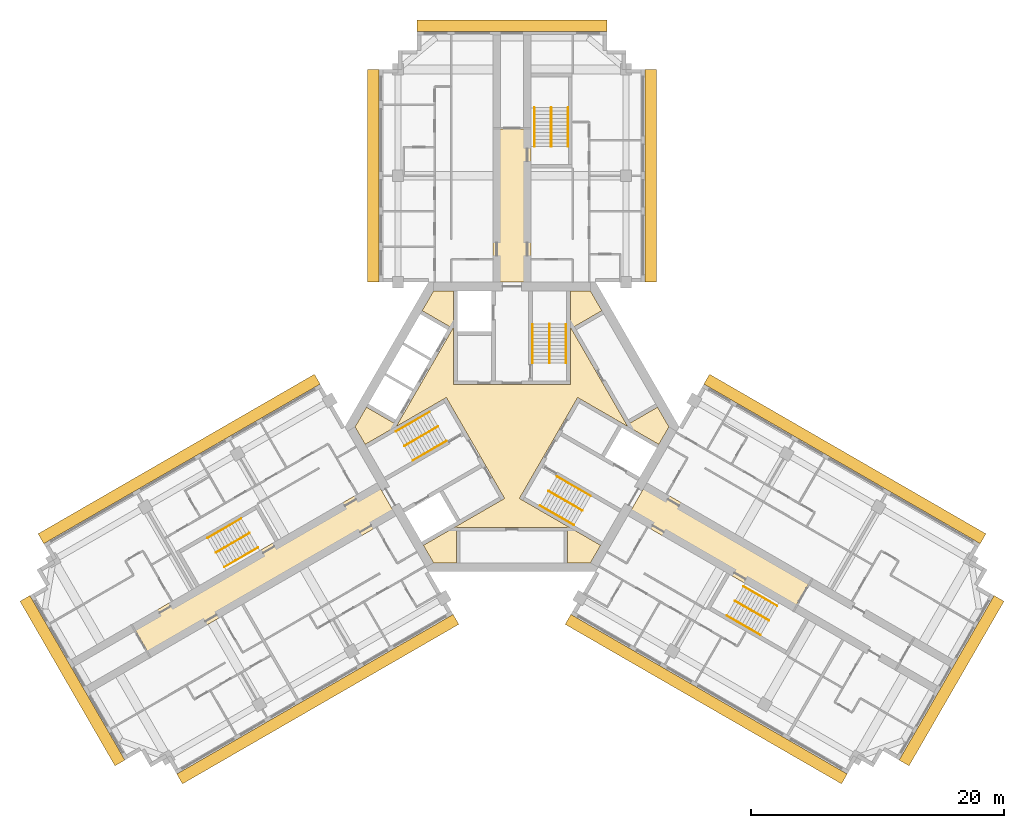
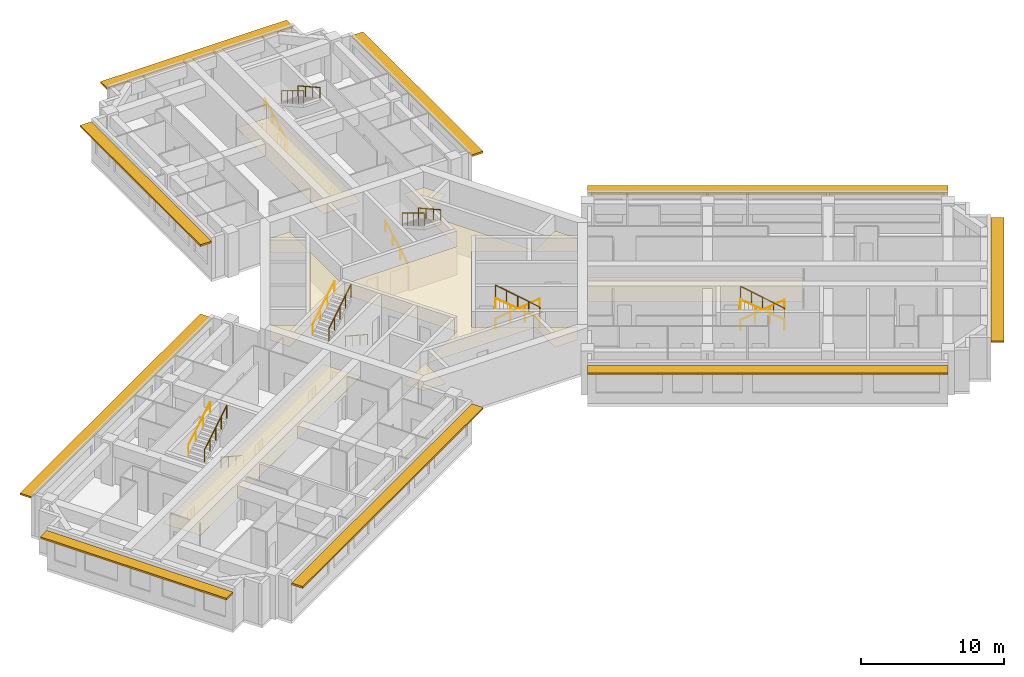
# One storey, part 11 of 11: 18 railings, 4 coverings, 3 shading devices.
"""IFC4 building model written with IfcOpenShell, lengths in metres."""

from ifc_helpers import new_model, si_unit, direction, frame, origin, origin_2d, place, context, subcontext, project, spatial, polyline, rectangle, circle, outline, extrude, material, layer, layer_set, type_object, element, save


model = new_model("IFC4")

# Units and contexts
model_context = context("Model", 3, precision=1e-05, world=origin(), true_north=direction((0.0, 1.0)))
body_context = subcontext(model_context, "Body", "Model", "MODEL_VIEW")
ifc_project = project(units=[si_unit("LENGTHUNIT", "METRE"), si_unit("AREAUNIT", "SQUARE_METRE"), si_unit("VOLUMEUNIT", "CUBIC_METRE"), si_unit("PLANEANGLEUNIT", "RADIAN"), si_unit("MASSUNIT", "GRAM", prefix="KILO")], contexts=[model_context])

# Site, building, storey
site_placement = place(None, origin())
site = spatial("IfcSite", under=ifc_project, at=site_placement, CompositionType="ELEMENT")
building_placement = place(site_placement, origin())
building = spatial("IfcBuilding", under=site, at=building_placement, Name="Impinga Residences", CompositionType="ELEMENT")
storey_placement = place(building_placement, frame((0.0, 0.0, 203.5)))
storey = spatial("IfcBuildingStorey", under=building, at=storey_placement, Name="L50", CompositionType="ELEMENT", Elevation=203.5)

# Coverings
ifc_material_1 = material(Name="Plasterboard 15 mm on steel hangers", Category="steel")
ifc_layer_1 = layer(ifc_material_1, 0.014892578125)
ifc_layer_set_1 = layer_set([ifc_layer_1], Name="Plasterboard 15 mm on steel hangers")
covering_type_1 = type_object("IfcCoveringType", Name="CL1 corridor ceiling, 15 mm plasterboard on hangers", PredefinedType="CEILING", material=ifc_layer_set_1)
covering_1_placement = place(storey_placement, frame((0.0, 0.0, 2.39990234375)))
element("IfcCovering", 1, at=covering_1_placement, inside=storey, type_object=covering_type_1, Name="Corridor ceiling CL1 L50-N00", PredefinedType="CEILING", context=body_context, shape_type="SweptSolid", body=[
    extrude(outline(polyline([(-1.5, 11.431640625), (1.5, 11.431640625), (1.5, 23.531494140625), (-1.5, 23.531494140625), (-1.5, 11.431640625)])), origin(), (0.0, 0.0, 1.0), 0.01513671875),
])
covering_2_placement = place(storey_placement, frame((0.0, 0.0, 2.39990234375)))
element("IfcCovering", 2, at=covering_2_placement, inside=storey, type_object=covering_type_1, Name="Corridor ceiling CL1 L50-W00", PredefinedType="CEILING", context=body_context, shape_type="SweptSolid", body=[
    extrude(outline(polyline([(-9.14990234375, -7.014892578125), (-10.64990234375, -4.416748046875), (-30.005615234375, -15.591796875), (-28.505615234375, -18.189697265625), (-9.14990234375, -7.014892578125)])), origin(), (0.0, 0.0, 1.0), 0.01513671875),
])
covering_3_placement = place(storey_placement, frame((0.0, 0.0, 2.39990234375)))
element("IfcCovering", 3, at=covering_3_placement, inside=storey, type_object=covering_type_1, Name="Corridor ceiling CL1 L50-E00", PredefinedType="CEILING", context=body_context, shape_type="SweptSolid", body=[
    extrude(outline(polyline([(9.14990234375, -7.014892578125), (10.64990234375, -4.416748046875), (23.681396484375, -11.9404296875), (22.181396484375, -14.53857421875), (9.14990234375, -7.014892578125)])), origin(), (0.0, 0.0, 1.0), 0.01513671875),
])
ifc_material_2 = material(Name="Mineral fibre tiles 20 mm on exposed grid", Category="mineral fibre")
ifc_layer_2 = layer(ifc_material_2, 0.02001953125)
ifc_layer_set_2 = layer_set([ifc_layer_2], Name="CL2 lift lobby ceiling, 20 mm mineral fibre tiles")
covering_type_2 = type_object("IfcCoveringType", Name="CL2 lift lobby ceiling, 20 mm mineral fibre tiles", PredefinedType="CEILING", material=ifc_layer_set_2)
covering_4_placement = place(storey_placement, frame((0.0, 0.0, 2.39990234375)))
element("IfcCovering", 4, at=covering_4_placement, inside=storey, type_object=covering_type_2, Name="Lift lobby ceiling CL2 L50-C01", PredefinedType="CEILING", context=body_context, shape_type="SweptSolid", body=[
    extrude(outline(polyline([(12.3916015625, 0.0), (11.59375, -1.382080078125), (5.183837890625, 2.318603515625), (0.583984375, -5.648681640625), (6.993896484375, -9.349365234375), (6.19580078125, -10.7314453125), (4.39990234375, -10.7314453125), (4.39990234375, -7.931640625), (-4.39990234375, -7.931640625), (-4.39990234375, -10.7314453125), (-6.19580078125, -10.7314453125), (-6.993896484375, -9.349365234375), (-0.583984375, -5.648681640625), (-5.183837890625, 2.318603515625), (-11.59375, -1.382080078125), (-12.3916015625, 0.0), (-11.493896484375, 1.55517578125), (-9.06884765625, 0.1552734375), (-4.6689453125, 7.7763671875), (-7.09375, 9.17626953125), (-6.19580078125, 10.7314453125), (-4.60009765625, 10.7314453125), (-4.60009765625, 3.330078125), (4.60009765625, 3.330078125), (4.60009765625, 10.7314453125), (6.19580078125, 10.7314453125), (7.09375, 9.17626953125), (4.6689453125, 7.7763671875), (9.06884765625, 0.1552734375), (11.493896484375, 1.55517578125), (12.3916015625, 0.0)])), origin(), (0.0, 0.0, 1.0), 0.02001953125),
])

# Railings
ifc_material_3 = material(Name="Steel guard, powder coated", Category="steel")
railing_type_1 = type_object("IfcRailingType", Name="GR1 stair guard 1100", PredefinedType="GUARDRAIL", material=ifc_material_3)
railing_1_placement = place(storey_placement, frame((2.949951171875, 8.110107421875, 1.875)))
element("IfcRailing", 5, at=railing_1_placement, inside=storey, type_object=railing_type_1, Name="Stair guard GR1 ST1 L50", PredefinedType="GUARDRAIL", context=body_context, shape_type="SweptSolid", body=[
    extrude(circle(Radius=0.02392578125, at=origin_2d()), frame((0.0, 0.0, 1.076171875), z_axis=(0.0, -0.854177636135, 0.519981313056), x_axis=(1.0, 0.0, 0.0)), (0.0, 0.0, 1.0), 3.60595703125),
    extrude(circle(Radius=0.02099609375, at=origin_2d()), origin(), (0.0, 0.0, 1.0), 1.052001953125),
    extrude(circle(Radius=0.02099609375, at=origin_2d()), frame((0.0, -0.77001953125, 0.46875)), (0.0, 0.0, 1.0), 1.052001953125),
    extrude(circle(Radius=0.02099609375, at=origin_2d()), frame((0.0, -1.5400390625, 0.9375)), (0.0, 0.0, 1.0), 1.052001953125),
    extrude(circle(Radius=0.02099609375, at=origin_2d()), frame((0.0, -2.31005859375, 1.40625)), (0.0, 0.0, 1.0), 1.052001953125),
    extrude(circle(Radius=0.02099609375, at=origin_2d()), frame((0.0, -3.080078125, 1.875)), (0.0, 0.0, 1.0), 1.052001953125),
])
railing_2_placement = place(storey_placement, frame((-8.49853515625, -1.500244140625, 1.875)))
element("IfcRailing", 6, at=railing_2_placement, inside=storey, type_object=railing_type_1, Name="Stair guard GR1 ST2 L50", PredefinedType="GUARDRAIL", context=body_context, shape_type="SweptSolid", body=[
    extrude(circle(Radius=0.02392578125, at=origin_2d()), frame((0.0, 0.0, 1.076171875), z_axis=(0.739746383972, 0.427084037168, 0.519975492303), x_axis=(-0.499992328818, 0.866029832698, 0.0)), (0.0, 0.0, 1.0), 3.60595703125),
    extrude(circle(Radius=0.02099609375, at=origin_2d()), origin(), (0.0, 0.0, 1.0), 1.052001953125),
    extrude(circle(Radius=0.02099609375, at=origin_2d()), frame((0.6669921875, 0.385009765625, 0.46875)), (0.0, 0.0, 1.0), 1.052001953125),
    extrude(circle(Radius=0.02099609375, at=origin_2d()), frame((1.333740234375, 0.77001953125, 0.9375)), (0.0, 0.0, 1.0), 1.052001953125),
    extrude(circle(Radius=0.02099609375, at=origin_2d()), frame((2.00048828125, 1.155029296875, 1.40625)), (0.0, 0.0, 1.0), 1.052001953125),
    extrude(circle(Radius=0.02099609375, at=origin_2d()), frame((2.66748046875, 1.5400390625, 1.875)), (0.0, 0.0, 1.0), 1.052001953125),
])
railing_3_placement = place(storey_placement, frame((5.548583984375, -6.60986328125, 1.875)))
element("IfcRailing", 7, at=railing_3_placement, inside=storey, type_object=railing_type_1, Name="Stair guard GR1 ST3 L50", PredefinedType="GUARDRAIL", context=body_context, shape_type="SweptSolid", body=[
    extrude(circle(Radius=0.02392578125, at=origin_2d()), frame((0.0, 0.0, 1.076171875), z_axis=(-0.739746383972, 0.427084037168, 0.519975492303), x_axis=(-0.499992328818, -0.866029832698, 0.0)), (0.0, 0.0, 1.0), 3.60595703125),
    extrude(circle(Radius=0.02099609375, at=origin_2d()), origin(), (0.0, 0.0, 1.0), 1.052001953125),
    extrude(circle(Radius=0.02099609375, at=origin_2d()), frame((-0.6669921875, 0.385009765625, 0.46875)), (0.0, 0.0, 1.0), 1.052001953125),
    extrude(circle(Radius=0.02099609375, at=origin_2d()), frame((-1.333740234375, 0.77001953125, 0.9375)), (0.0, 0.0, 1.0), 1.052001953125),
    extrude(circle(Radius=0.02099609375, at=origin_2d()), frame((-2.00048828125, 1.155029296875, 1.40625)), (0.0, 0.0, 1.0), 1.052001953125),
    extrude(circle(Radius=0.02099609375, at=origin_2d()), frame((-2.66748046875, 1.5400390625, 1.875)), (0.0, 0.0, 1.0), 1.052001953125),
])
railing_4_placement = place(storey_placement, frame((3.10009765625, 25.21142578125, 1.875)))
element("IfcRailing", 8, at=railing_4_placement, inside=storey, type_object=railing_type_1, Name="Stair guard GR1 WS1 L50", PredefinedType="GUARDRAIL", context=body_context, shape_type="SweptSolid", body=[
    extrude(circle(Radius=0.02392578125, at=origin_2d()), frame((0.0, 0.0, 1.076171875), z_axis=(0.0, -0.854159328187, 0.520011386482), x_axis=(1.0, 0.0, 0.0)), (0.0, 0.0, 1.0), 3.605712890625),
    extrude(circle(Radius=0.02099609375, at=origin_2d()), origin(), (0.0, 0.0, 1.0), 1.052001953125),
    extrude(circle(Radius=0.02099609375, at=origin_2d()), frame((0.0, -0.77001953125, 0.46875)), (0.0, 0.0, 1.0), 1.052001953125),
    extrude(circle(Radius=0.02099609375, at=origin_2d()), frame((0.0, -1.5400390625, 0.9375)), (0.0, 0.0, 1.0), 1.052001953125),
    extrude(circle(Radius=0.02099609375, at=origin_2d()), frame((0.0, -2.309814453125, 1.40625)), (0.0, 0.0, 1.0), 1.052001953125),
    extrude(circle(Radius=0.02099609375, at=origin_2d()), frame((0.0, -3.079833984375, 1.875)), (0.0, 0.0, 1.0), 1.052001953125),
])
railing_5_placement = place(storey_placement, frame((-23.3837890625, -9.921142578125, 1.875)))
element("IfcRailing", 9, at=railing_5_placement, inside=storey, type_object=railing_type_1, Name="Stair guard GR1 WS2 L50", PredefinedType="GUARDRAIL", context=body_context, shape_type="SweptSolid", body=[
    extrude(circle(Radius=0.02392578125, at=origin_2d()), frame((0.0, 0.0, 1.076171875), z_axis=(0.739715726454, 0.427105428144, 0.52000153585), x_axis=(-0.500026652407, 0.866010015463, 0.0)), (0.0, 0.0, 1.0), 3.605712890625),
    extrude(circle(Radius=0.02099609375, at=origin_2d()), origin(), (0.0, 0.0, 1.0), 1.052001953125),
    extrude(circle(Radius=0.02099609375, at=origin_2d()), frame((0.666748046875, 0.385009765625, 0.46875)), (0.0, 0.0, 1.0), 1.052001953125),
    extrude(circle(Radius=0.02099609375, at=origin_2d()), frame((1.33349609375, 0.77001953125, 0.9375)), (0.0, 0.0, 1.0), 1.052001953125),
    extrude(circle(Radius=0.02099609375, at=origin_2d()), frame((2.00048828125, 1.155029296875, 1.40625)), (0.0, 0.0, 1.0), 1.052001953125),
    extrude(circle(Radius=0.02099609375, at=origin_2d()), frame((2.667236328125, 1.5400390625, 1.875)), (0.0, 0.0, 1.0), 1.052001953125),
])
railing_6_placement = place(storey_placement, frame((20.283935546875, -15.29052734375, 1.875)))
element("IfcRailing", 10, at=railing_6_placement, inside=storey, type_object=railing_type_1, Name="Stair guard GR1 WS3 L50", PredefinedType="GUARDRAIL", context=body_context, shape_type="SweptSolid", body=[
    extrude(circle(Radius=0.02392578125, at=origin_2d()), frame((0.0, 0.0, 1.076171875), z_axis=(-0.739746383972, 0.427084037168, 0.519975492303), x_axis=(-0.499992328818, -0.866029832698, 0.0)), (0.0, 0.0, 1.0), 3.60595703125),
    extrude(circle(Radius=0.02099609375, at=origin_2d()), origin(), (0.0, 0.0, 1.0), 1.052001953125),
    extrude(circle(Radius=0.02099609375, at=origin_2d()), frame((-0.6669921875, 0.385009765625, 0.46875)), (0.0, 0.0, 1.0), 1.052001953125),
    extrude(circle(Radius=0.02099609375, at=origin_2d()), frame((-1.333740234375, 0.77001953125, 0.9375)), (0.0, 0.0, 1.0), 1.052001953125),
    extrude(circle(Radius=0.02099609375, at=origin_2d()), frame((-2.00048828125, 1.155029296875, 1.40625)), (0.0, 0.0, 1.0), 1.052001953125),
    extrude(circle(Radius=0.02099609375, at=origin_2d()), frame((-2.66748046875, 1.5400390625, 1.875)), (0.0, 0.0, 1.0), 1.052001953125),
])
ifc_material_4 = material(Name="Steel handrail tube 42 mm, powder coated", Category="steel")
railing_type_2 = type_object("IfcRailingType", Name="HR1 stair handrail, 42 mm steel tube, 900 above the pitch line", PredefinedType="HANDRAIL", material=ifc_material_4)
railing_7_placement = place(storey_placement, frame((1.62109375, 5.030029296875, 0.15625)))
element("IfcRailing", 11, at=railing_7_placement, inside=storey, type_object=railing_type_2, Name="Stair handrail HR1 ST1 L50", PredefinedType="HANDRAIL", context=body_context, shape_type="SweptSolid", body=[
    extrude(circle(Radius=0.02099609375, at=origin_2d()), frame((0.0, 0.0, 0.87890625), z_axis=(0.0, 0.873241540666, 0.487287606713), x_axis=(-1.0, 0.0, 0.0)), (0.0, 0.0, 1.0), 3.527099609375),
    extrude(circle(Radius=0.012451171875, at=origin_2d()), origin(), (0.0, 0.0, 1.0), 0.85791015625),
    extrude(circle(Radius=0.012451171875, at=origin_2d()), frame((0.0, 1.026611328125, 0.572998046875)), (0.0, 0.0, 1.0), 0.85791015625),
    extrude(circle(Radius=0.012451171875, at=origin_2d()), frame((0.0, 2.053466796875, 1.145751953125)), (0.0, 0.0, 1.0), 0.85791015625),
    extrude(circle(Radius=0.012451171875, at=origin_2d()), frame((0.0, 3.080078125, 1.71875)), (0.0, 0.0, 1.0), 0.85791015625),
])
railing_8_placement = place(storey_placement, frame((4.279052734375, 8.110107421875, 2.03125)))
element("IfcRailing", 12, at=railing_8_placement, inside=storey, type_object=railing_type_2, Name="Stair handrail HR1 ST1 L50", PredefinedType="HANDRAIL", context=body_context, shape_type="SweptSolid", body=[
    extrude(circle(Radius=0.02099609375, at=origin_2d()), frame((0.0, 0.0, 0.87890625), z_axis=(0.0, -0.873241540666, 0.487287606713), x_axis=(1.0, 0.0, 0.0)), (0.0, 0.0, 1.0), 3.527099609375),
    extrude(circle(Radius=0.012451171875, at=origin_2d()), origin(), (0.0, 0.0, 1.0), 0.85791015625),
    extrude(circle(Radius=0.012451171875, at=origin_2d()), frame((0.0, -1.026611328125, 0.572998046875)), (0.0, 0.0, 1.0), 0.85791015625),
    extrude(circle(Radius=0.012451171875, at=origin_2d()), frame((0.0, -2.053466796875, 1.145751953125)), (0.0, 0.0, 1.0), 0.85791015625),
    extrude(circle(Radius=0.012451171875, at=origin_2d()), frame((0.0, -3.080078125, 1.71875)), (0.0, 0.0, 1.0), 0.85791015625),
])
railing_9_placement = place(storey_placement, frame((-5.16650390625, -1.111083984375, 0.15625)))
element("IfcRailing", 13, at=railing_9_placement, inside=storey, type_object=railing_type_2, Name="Stair handrail HR1 ST2 L50", PredefinedType="HANDRAIL", context=body_context, shape_type="SweptSolid", body=[
    extrude(circle(Radius=0.02099609375, at=origin_2d()), frame((0.0, 0.0, 0.87890625), z_axis=(-0.756255980417, -0.436615662133, 0.487281905742), x_axis=(0.499992328818, -0.866029832698, 0.0)), (0.0, 0.0, 1.0), 3.527099609375),
    extrude(circle(Radius=0.012451171875, at=origin_2d()), origin(), (0.0, 0.0, 1.0), 0.85791015625),
    extrude(circle(Radius=0.012451171875, at=origin_2d()), frame((-0.88916015625, -0.513427734375, 0.572998046875)), (0.0, 0.0, 1.0), 0.85791015625),
    extrude(circle(Radius=0.012451171875, at=origin_2d()), frame((-1.7783203125, -1.026611328125, 1.145751953125)), (0.0, 0.0, 1.0), 0.85791015625),
    extrude(circle(Radius=0.012451171875, at=origin_2d()), frame((-2.66748046875, -1.5400390625, 1.71875)), (0.0, 0.0, 1.0), 0.85791015625),
])
railing_10_placement = place(storey_placement, frame((-9.1630859375, -0.349365234375, 2.03125)))
element("IfcRailing", 14, at=railing_10_placement, inside=storey, type_object=railing_type_2, Name="Stair handrail HR1 ST2 L50", PredefinedType="HANDRAIL", context=body_context, shape_type="SweptSolid", body=[
    extrude(circle(Radius=0.02099609375, at=origin_2d()), frame((0.0, 0.0, 0.87890625), z_axis=(0.756255980417, 0.436615662133, 0.487281905742), x_axis=(-0.499992328818, 0.866029832698, 0.0)), (0.0, 0.0, 1.0), 3.527099609375),
    extrude(circle(Radius=0.012451171875, at=origin_2d()), origin(), (0.0, 0.0, 1.0), 0.85791015625),
    extrude(circle(Radius=0.012451171875, at=origin_2d()), frame((0.88916015625, 0.513427734375, 0.572998046875)), (0.0, 0.0, 1.0), 0.85791015625),
    extrude(circle(Radius=0.012451171875, at=origin_2d()), frame((1.7783203125, 1.026611328125, 1.145751953125)), (0.0, 0.0, 1.0), 0.85791015625),
    extrude(circle(Radius=0.012451171875, at=origin_2d()), frame((2.66748046875, 1.5400390625, 1.71875)), (0.0, 0.0, 1.0), 0.85791015625),
])
railing_11_placement = place(storey_placement, frame((3.545654296875, -3.9189453125, 0.15625)))
element("IfcRailing", 15, at=railing_11_placement, inside=storey, type_object=railing_type_2, Name="Stair handrail HR1 ST3 L50", PredefinedType="HANDRAIL", context=body_context, shape_type="SweptSolid", body=[
    extrude(circle(Radius=0.02099609375, at=origin_2d()), frame((0.0, 0.0, 0.87890625), z_axis=(0.756249203677, -0.436582492228, 0.487322141317), x_axis=(0.499967199496, 0.866044340336, 0.0)), (0.0, 0.0, 1.0), 3.52685546875),
    extrude(circle(Radius=0.012451171875, at=origin_2d()), origin(), (0.0, 0.0, 1.0), 0.85791015625),
    extrude(circle(Radius=0.012451171875, at=origin_2d()), frame((0.88916015625, -0.51318359375, 0.572998046875)), (0.0, 0.0, 1.0), 0.85791015625),
    extrude(circle(Radius=0.012451171875, at=origin_2d()), frame((1.778076171875, -1.026611328125, 1.145751953125)), (0.0, 0.0, 1.0), 0.85791015625),
    extrude(circle(Radius=0.012451171875, at=origin_2d()), frame((2.667236328125, -1.539794921875, 1.71875)), (0.0, 0.0, 1.0), 0.85791015625),
])
railing_12_placement = place(storey_placement, frame((4.884033203125, -7.7607421875, 2.03125)))
element("IfcRailing", 16, at=railing_12_placement, inside=storey, type_object=railing_type_2, Name="Stair handrail HR1 ST3 L50", PredefinedType="HANDRAIL", context=body_context, shape_type="SweptSolid", body=[
    extrude(circle(Radius=0.02099609375, at=origin_2d()), frame((0.0, 0.0, 0.87890625), z_axis=(-0.756255980417, 0.436615662133, 0.487281905742), x_axis=(-0.499992328818, -0.866029832698, 0.0)), (0.0, 0.0, 1.0), 3.527099609375),
    extrude(circle(Radius=0.012451171875, at=origin_2d()), origin(), (0.0, 0.0, 1.0), 0.85791015625),
    extrude(circle(Radius=0.012451171875, at=origin_2d()), frame((-0.88916015625, 0.513427734375, 0.572998046875)), (0.0, 0.0, 1.0), 0.85791015625),
    extrude(circle(Radius=0.012451171875, at=origin_2d()), frame((-1.7783203125, 1.026611328125, 1.145751953125)), (0.0, 0.0, 1.0), 0.85791015625),
    extrude(circle(Radius=0.012451171875, at=origin_2d()), frame((-2.66748046875, 1.5400390625, 1.71875)), (0.0, 0.0, 1.0), 0.85791015625),
])
railing_13_placement = place(storey_placement, frame((1.77099609375, 22.131591796875, 0.15625)))
element("IfcRailing", 17, at=railing_13_placement, inside=storey, type_object=railing_type_2, Name="Stair handrail HR1 WS1 L50", PredefinedType="HANDRAIL", context=body_context, shape_type="SweptSolid", body=[
    extrude(circle(Radius=0.02099609375, at=origin_2d()), frame((0.0, 0.0, 0.87890625), z_axis=(0.0, 0.873225103656, 0.487317061414), x_axis=(-1.0, 0.0, 0.0)), (0.0, 0.0, 1.0), 3.52685546875),
    extrude(circle(Radius=0.012451171875, at=origin_2d()), origin(), (0.0, 0.0, 1.0), 0.85791015625),
    extrude(circle(Radius=0.012451171875, at=origin_2d()), frame((0.0, 1.026611328125, 0.572998046875)), (0.0, 0.0, 1.0), 0.85791015625),
    extrude(circle(Radius=0.012451171875, at=origin_2d()), frame((0.0, 2.05322265625, 1.145751953125)), (0.0, 0.0, 1.0), 0.85791015625),
    extrude(circle(Radius=0.012451171875, at=origin_2d()), frame((0.0, 3.079833984375, 1.71875)), (0.0, 0.0, 1.0), 0.85791015625),
])
railing_14_placement = place(storey_placement, frame((4.428955078125, 25.21142578125, 2.03125)))
element("IfcRailing", 18, at=railing_14_placement, inside=storey, type_object=railing_type_2, Name="Stair handrail HR1 WS1 L50", PredefinedType="HANDRAIL", context=body_context, shape_type="SweptSolid", body=[
    extrude(circle(Radius=0.02099609375, at=origin_2d()), frame((0.0, 0.0, 0.87890625), z_axis=(0.0, -0.873225103656, 0.487317061414), x_axis=(1.0, 0.0, 0.0)), (0.0, 0.0, 1.0), 3.52685546875),
    extrude(circle(Radius=0.012451171875, at=origin_2d()), origin(), (0.0, 0.0, 1.0), 0.85791015625),
    extrude(circle(Radius=0.012451171875, at=origin_2d()), frame((0.0, -1.026611328125, 0.572998046875)), (0.0, 0.0, 1.0), 0.85791015625),
    extrude(circle(Radius=0.012451171875, at=origin_2d()), frame((0.0, -2.05322265625, 1.145751953125)), (0.0, 0.0, 1.0), 0.85791015625),
    extrude(circle(Radius=0.012451171875, at=origin_2d()), frame((0.0, -3.079833984375, 1.71875)), (0.0, 0.0, 1.0), 0.85791015625),
])
railing_15_placement = place(storey_placement, frame((-20.052001953125, -9.531982421875, 0.15625)))
element("IfcRailing", 19, at=railing_15_placement, inside=storey, type_object=railing_type_2, Name="Stair handrail HR1 WS2 L50", PredefinedType="HANDRAIL", context=body_context, shape_type="SweptSolid", body=[
    extrude(circle(Radius=0.02099609375, at=origin_2d()), frame((0.0, 0.0, 0.87890625), z_axis=(-0.756226348243, -0.436638517594, 0.487307413422), x_axis=(0.500026652407, -0.866010015463, 0.0)), (0.0, 0.0, 1.0), 3.527099609375),
    extrude(circle(Radius=0.012451171875, at=origin_2d()), origin(), (0.0, 0.0, 1.0), 0.85791015625),
    extrude(circle(Radius=0.012451171875, at=origin_2d()), frame((-0.88916015625, -0.513427734375, 0.572998046875)), (0.0, 0.0, 1.0), 0.85791015625),
    extrude(circle(Radius=0.012451171875, at=origin_2d()), frame((-1.778076171875, -1.026611328125, 1.145751953125)), (0.0, 0.0, 1.0), 0.85791015625),
    extrude(circle(Radius=0.012451171875, at=origin_2d()), frame((-2.667236328125, -1.5400390625, 1.71875)), (0.0, 0.0, 1.0), 0.85791015625),
])
railing_16_placement = place(storey_placement, frame((-24.04833984375, -8.77001953125, 2.03125)))
element("IfcRailing", 20, at=railing_16_placement, inside=storey, type_object=railing_type_2, Name="Stair handrail HR1 WS2 L50", PredefinedType="HANDRAIL", context=body_context, shape_type="SweptSolid", body=[
    extrude(circle(Radius=0.02099609375, at=origin_2d()), frame((0.0, 0.0, 0.87890625), z_axis=(0.756278834354, 0.436559638319, 0.487296631324), x_axis=(-0.499932877268, 0.866064153644, 0.0)), (0.0, 0.0, 1.0), 3.527099609375),
    extrude(circle(Radius=0.012451171875, at=origin_2d()), origin(), (0.0, 0.0, 1.0), 0.85791015625),
    extrude(circle(Radius=0.012451171875, at=origin_2d()), frame((0.88916015625, 0.51318359375, 0.572998046875)), (0.0, 0.0, 1.0), 0.85791015625),
    extrude(circle(Radius=0.012451171875, at=origin_2d()), frame((1.7783203125, 1.026611328125, 1.145751953125)), (0.0, 0.0, 1.0), 0.85791015625),
    extrude(circle(Radius=0.012451171875, at=origin_2d()), frame((2.66748046875, 1.539794921875, 1.71875)), (0.0, 0.0, 1.0), 0.85791015625),
])
railing_17_placement = place(storey_placement, frame((18.281005859375, -12.599609375, 0.15625)))
element("IfcRailing", 21, at=railing_17_placement, inside=storey, type_object=railing_type_2, Name="Stair handrail HR1 WS3 L50", PredefinedType="HANDRAIL", context=body_context, shape_type="SweptSolid", body=[
    extrude(circle(Radius=0.02099609375, at=origin_2d()), frame((0.0, 0.0, 0.87890625), z_axis=(0.756249203677, -0.436582492228, 0.487322141317), x_axis=(0.499967199496, 0.866044340336, 0.0)), (0.0, 0.0, 1.0), 3.52685546875),
    extrude(circle(Radius=0.012451171875, at=origin_2d()), origin(), (0.0, 0.0, 1.0), 0.85791015625),
    extrude(circle(Radius=0.012451171875, at=origin_2d()), frame((0.88916015625, -0.51318359375, 0.572998046875)), (0.0, 0.0, 1.0), 0.85791015625),
    extrude(circle(Radius=0.012451171875, at=origin_2d()), frame((1.778076171875, -1.026611328125, 1.145751953125)), (0.0, 0.0, 1.0), 0.85791015625),
    extrude(circle(Radius=0.012451171875, at=origin_2d()), frame((2.667236328125, -1.539794921875, 1.71875)), (0.0, 0.0, 1.0), 0.85791015625),
])
railing_18_placement = place(storey_placement, frame((19.619384765625, -16.44140625, 2.03125)))
element("IfcRailing", 22, at=railing_18_placement, inside=storey, type_object=railing_type_2, Name="Stair handrail HR1 WS3 L50", PredefinedType="HANDRAIL", context=body_context, shape_type="SweptSolid", body=[
    extrude(circle(Radius=0.02099609375, at=origin_2d()), frame((0.0, 0.0, 0.87890625), z_axis=(-0.756255980417, 0.436615662133, 0.487281905742), x_axis=(-0.499992328818, -0.866029832698, 0.0)), (0.0, 0.0, 1.0), 3.527099609375),
    extrude(circle(Radius=0.012451171875, at=origin_2d()), origin(), (0.0, 0.0, 1.0), 0.85791015625),
    extrude(circle(Radius=0.012451171875, at=origin_2d()), frame((-0.88916015625, 0.513427734375, 0.572998046875)), (0.0, 0.0, 1.0), 0.85791015625),
    extrude(circle(Radius=0.012451171875, at=origin_2d()), frame((-1.7783203125, 1.026611328125, 1.145751953125)), (0.0, 0.0, 1.0), 0.85791015625),
    extrude(circle(Radius=0.012451171875, at=origin_2d()), frame((-2.66748046875, 1.5400390625, 1.71875)), (0.0, 0.0, 1.0), 0.85791015625),
])

# Shading devices
ifc_material_5 = material(Name="Terracotta sunshade blades on aluminium brackets", Category="masonry")
ifc_layer_3 = layer(ifc_material_5, 0.14990234375)
ifc_layer_set_3 = layer_set([ifc_layer_3], Name="SS1 SUNSHADE terracotta sunshade band 900")
shading_device_type = type_object("IfcShadingDeviceType", Name="SS1 SUNSHADE terracotta sunshade band 900", PredefinedType="USERDEFINED", material=ifc_layer_set_3)
shading_device_1_placement = place(storey_placement, frame((-10.949951171875, 19.83154296875, 3.10009765625), z_axis=(0.0, 0.0, 1.0), x_axis=(0.0, 1.0, 0.0)))
element("IfcShadingDevice", 23, at=shading_device_1_placement, inside=storey, type_object=shading_device_type, Name="SUNSHADE band L50 NORTH WING", ObjectType="SUNSHADE", PredefinedType="USERDEFINED", context=body_context, shape_type="SweptSolid", body=[
    extrude(rectangle(XDim=16.800048828125, YDim=0.89990234375, at=origin_2d()), origin(), (0.0, 0.0, 1.0), 0.14990234375),
    extrude(rectangle(XDim=15.0, YDim=0.89990234375, at=origin_2d()), frame((11.85009765625, -10.949951171875, 0.0), z_axis=(0.0, 0.0, 1.0), x_axis=(0.0, -1.0, 0.0)), (0.0, 0.0, 1.0), 0.14990234375),
    extrude(rectangle(XDim=16.800048828125, YDim=0.89990234375, at=origin_2d()), frame((0.0, -21.89990234375, 0.0), z_axis=(0.0, 0.0, 1.0), x_axis=(-1.0, 0.0, 0.0)), (0.0, 0.0, 1.0), 0.14990234375),
])
shading_device_2_placement = place(storey_placement, frame((-34.711669921875, -20.040771484375, 3.10009765625), z_axis=(0.0, 0.0, 1.0), x_axis=(-0.5, 0.866025403784, 0.0)))
element("IfcShadingDevice", 24, at=shading_device_2_placement, inside=storey, type_object=shading_device_type, Name="SUNSHADE band L50 WEST WING", ObjectType="SUNSHADE", PredefinedType="USERDEFINED", context=body_context, shape_type="SweptSolid", body=[
    extrude(rectangle(XDim=15.0, YDim=0.89990234375, at=origin_2d()), origin(), (0.0, 0.0, 1.0), 0.14990234375),
    extrude(rectangle(XDim=25.199951171875, YDim=0.89990234375, at=origin_2d()), frame((10.949951171875, -16.050048828125, 0.0), z_axis=(0.0, 0.0, 1.0), x_axis=(0.0, -1.0, 0.0)), (0.0, 0.0, 1.0), 0.14990234375),
    extrude(rectangle(XDim=25.199951171875, YDim=0.89990234375, at=origin_2d()), frame((-10.949951171875, -16.050048828125, 0.0), z_axis=(0.0, 0.0, 1.0), x_axis=(0.0, 1.0, 0.0)), (0.0, 0.0, 1.0), 0.14990234375),
])
shading_device_3_placement = place(storey_placement, frame((26.286865234375, -2.53271484375, 3.10009765625), z_axis=(0.0, 0.0, 1.0), x_axis=(0.866025403784, -0.5, 0.0)))
element("IfcShadingDevice", 25, at=shading_device_3_placement, inside=storey, type_object=shading_device_type, Name="SUNSHADE band L50 EAST WING", ObjectType="SUNSHADE", PredefinedType="USERDEFINED", context=body_context, shape_type="SweptSolid", body=[
    extrude(rectangle(XDim=25.199951171875, YDim=0.89990234375, at=origin_2d()), origin(), (0.0, 0.0, 1.0), 0.14990234375),
    extrude(rectangle(XDim=15.0, YDim=0.89990234375, at=origin_2d()), frame((16.050048828125, -10.949951171875, 0.0), z_axis=(0.0, 0.0, 1.0), x_axis=(0.0, -1.0, 0.0)), (0.0, 0.0, 1.0), 0.14990234375),
    extrude(rectangle(XDim=25.199951171875, YDim=0.89990234375, at=origin_2d()), frame((0.0, -21.900146484375, 0.0), z_axis=(0.0, 0.0, 1.0), x_axis=(-1.0, 0.0, 0.0)), (0.0, 0.0, 1.0), 0.14990234375),
])

save(model, "model.ifc")
